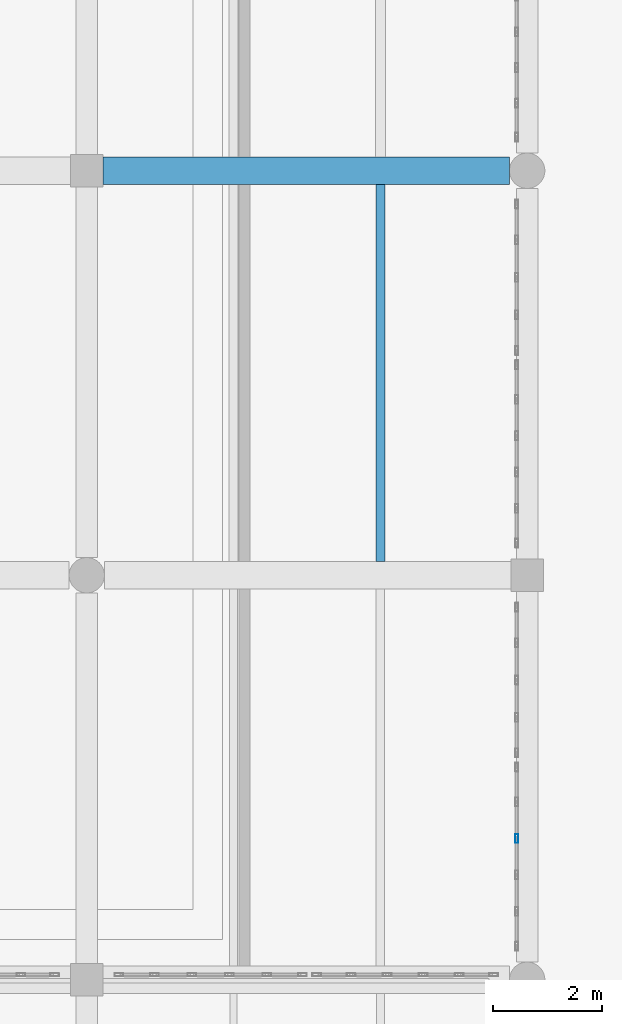
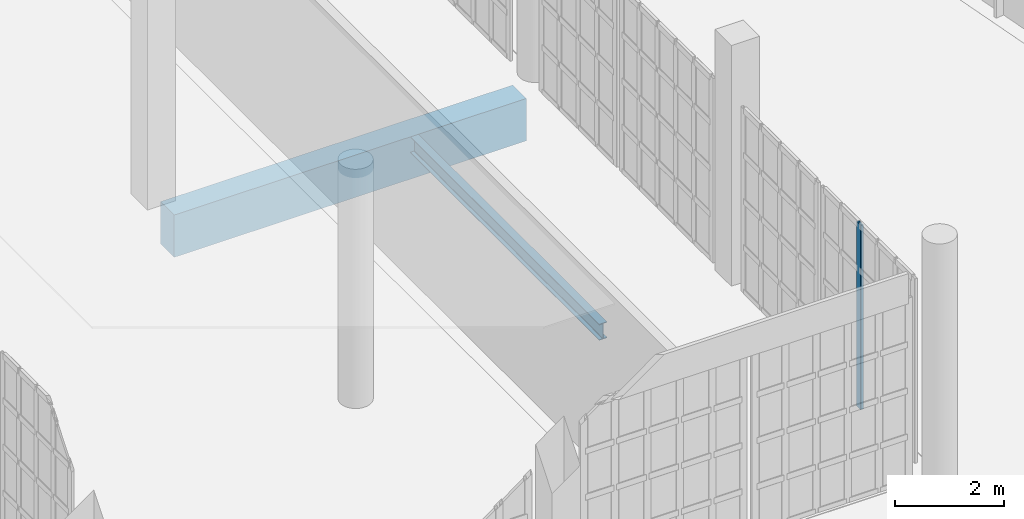
# One storey, part 66 of 372: 2 beams, 1 member, 1 element without a shape of its own.
"""IFC4 building model written with IfcOpenShell, lengths in metres."""

from ifc_helpers import new_model, si_unit, direction, frame, origin, origin_2d, place, context, subcontext, project, spatial, rectangle, hollow_rectangle, i_section, extrude, material, material_profile, profile_set, type_object, element, aggregate, save


model = new_model("IFC4")

# Units and contexts
model_context = context("Model", 3, precision=1e-05, world=origin(), true_north=direction((0.0, 1.0)))
body_context = subcontext(model_context, "Body", "Model", "MODEL_VIEW")
ifc_project = project(units=[si_unit("LENGTHUNIT", "METRE"), si_unit("AREAUNIT", "SQUARE_METRE"), si_unit("VOLUMEUNIT", "CUBIC_METRE"), si_unit("PLANEANGLEUNIT", "RADIAN"), si_unit("MASSUNIT", "GRAM", prefix="KILO")], contexts=[model_context])

# Site, building, storey
site_placement = place(None, origin())
site = spatial("IfcSite", under=ifc_project, at=site_placement, CompositionType="ELEMENT")
building_placement = place(site_placement, origin())
building = spatial("IfcBuilding", under=site, at=building_placement, Name="Kaelora Sail Theatre", CompositionType="ELEMENT")
storey_placement = place(building_placement, origin())
storey = spatial("IfcBuildingStorey", under=building, at=storey_placement, Name="L00", CompositionType="ELEMENT", Elevation=0.0)

# Curtain wall, member
ifc_material_1 = material(Name="Anodised aluminium and solar-control low-E IGU", Category="aluminium")
curtain_wall_type = type_object("IfcCurtainWallType", Name="ARC-CW-CW-FOY2", PredefinedType="NOTDEFINED", material=ifc_material_1)
curtain_wall_placement = place(storey_placement, origin())
curtain_wall = element("IfcCurtainWall", 1, at=curtain_wall_placement, inside=storey, type_object=curtain_wall_type, Name="Glazed Colonnade/Courtyard Curtain Wall COLW-E-L00-01", PredefinedType="NOTDEFINED")
ifc_material_2 = material(Name="Anodised aluminium 6063-T6", Category="aluminium")
ifc_material_profile_1 = material_profile(ifc_material_2, hollow_rectangle(XDim=0.06005859375, YDim=0.159912109375, WallThickness=0.00390625, InnerFilletRadius=0.00390625, OuterFilletRadius=0.008056640625, at=origin_2d()), Name="ALU-MULL 60x160x4")
ifc_profile_set_1 = profile_set([ifc_material_profile_1], Name="Anodised aluminium 6063-T6")
member_type = type_object("IfcMemberType", Name="ARC-MEM-ML-160", PredefinedType="MULLION", material=ifc_profile_set_1)
member_placement = place(storey_placement, frame((17.510009765625, 33.85791015625, 0.0), z_axis=(0.0, 0.0, 1.0), x_axis=(-1.0, 0.0, 0.0)))
member = element("IfcMember", 2, at=member_placement, type_object=member_type, Name="CW-FOY2 mullion 4", PredefinedType="MULLION", context=body_context, shape_type="SweptSolid", body=[
    extrude(hollow_rectangle(XDim=0.06005859375, YDim=0.159912109375, WallThickness=0.00390625, InnerFilletRadius=0.00390625, OuterFilletRadius=0.008056640625, at=origin_2d()), origin(), (0.0, 0.0, 1.0), 4.136962890625),
])
aggregate(curtain_wall, [member])

# Beams
ifc_material_3 = material(Name="Concrete C45/55", Category="concrete")
ifc_material_profile_2 = material_profile(ifc_material_3, rectangle(XDim=0.5, YDim=0.949951171875, at=origin_2d()), Name="RC-GRD 500x950")
ifc_profile_set_2 = profile_set([ifc_material_profile_2], Name="Concrete C45/55")
beam_type_1 = type_object("IfcBeamType", Name="STR-BM-GR-RC5095", PredefinedType="T_BEAM", material=ifc_profile_set_2)
beam_1_placement = place(storey_placement, frame((9.89990234375, 46.139892578125, -0.794921875), z_axis=(1.0, 0.0, 0.0), x_axis=(0.0, 1.0, 0.0)))
element("IfcBeam", 3, at=beam_1_placement, inside=storey, type_object=beam_type_1, Name="Primary beam G 2-3 (L00)", PredefinedType="T_BEAM", context=body_context, shape_type="SweptSolid", body=[
    extrude(rectangle(XDim=0.5, YDim=0.949951171875, at=origin_2d()), origin(), (0.0, 0.0, 1.0), 7.47509765625),
])
ifc_material_4 = material(Name="Steel S355", Category="steel")
ifc_material_profile_3 = material_profile(ifc_material_4, i_section(OverallWidth=0.169921875, OverallDepth=0.360107421875, WebThickness=0.008056640625, FlangeThickness=0.0126953125, FilletRadius=0.01806640625, at=origin_2d()), Name="IPE 360")
ifc_profile_set_3 = profile_set([ifc_material_profile_3], Name="Steel S355")
beam_type_2 = type_object("IfcBeamType", Name="STR-BM-JS-IPE360", PredefinedType="JOIST", material=ifc_profile_set_3)
beam_2_placement = place(storey_placement, frame((15.0, 38.949951171875, -0.5), z_axis=(0.0, 1.0, 0.0), x_axis=(-1.0, 0.0, 0.0)))
element("IfcBeam", 4, at=beam_2_placement, inside=storey, type_object=beam_type_2, Name="Secondary floor joist 2/F-2 (L00)", PredefinedType="JOIST", context=body_context, shape_type="SweptSolid", body=[
    extrude(i_section(OverallWidth=0.169921875, OverallDepth=0.360107421875, WebThickness=0.008056640625, FlangeThickness=0.0126953125, FilletRadius=0.01806640625, at=origin_2d()), origin(), (0.0, 0.0, 1.0), 6.93994140625),
])

save(model, "model.ifc")
